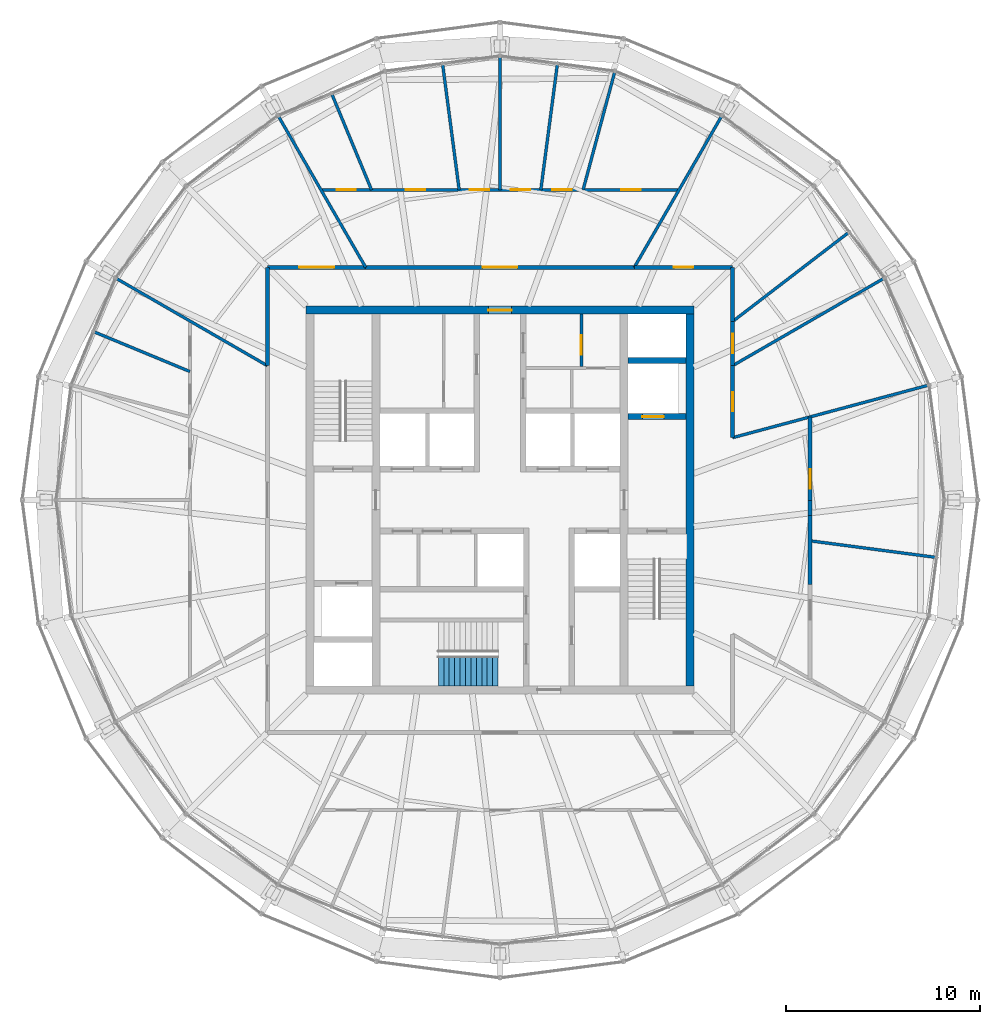
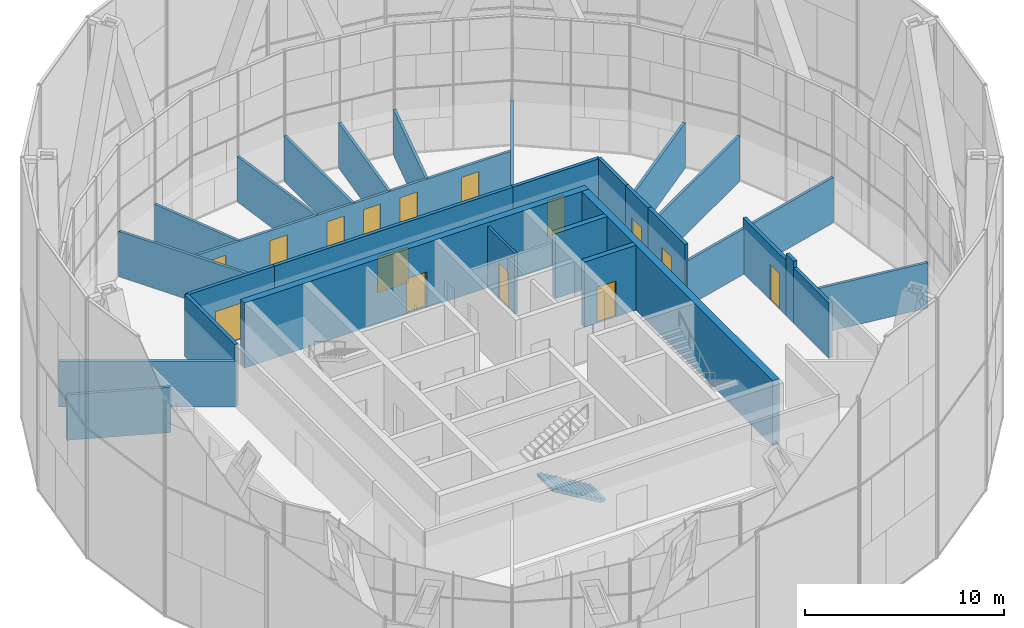
# One storey, part 21 of 23: 29 walls, 15 doors, 1 stair flight, 15 openings, 1 element without a shape of its own.
"""IFC4 building model written with IfcOpenShell, lengths in metres."""

from ifc_helpers import new_model, si_unit, direction, frame, frame_2d, origin, place, context, subcontext, project, spatial, polyline, rectangle, outline, extrude, material, layer, layer_set, type_object, element, fill, aggregate, save


model = new_model("IFC4")

# Units and contexts
model_context = context("Model", 3, precision=1e-05, world=origin(), true_north=direction((0.0, 1.0)))
body_context = subcontext(model_context, "Body", "Model", "MODEL_VIEW")
ifc_project = project(units=[si_unit("LENGTHUNIT", "METRE"), si_unit("AREAUNIT", "SQUARE_METRE"), si_unit("VOLUMEUNIT", "CUBIC_METRE"), si_unit("PLANEANGLEUNIT", "RADIAN"), si_unit("MASSUNIT", "GRAM", prefix="KILO")], contexts=[model_context])

# Site, building, storey
site_placement = place(None, origin())
site = spatial("IfcSite", under=ifc_project, at=site_placement, CompositionType="ELEMENT")
building_placement = place(site_placement, origin())
building = spatial("IfcBuilding", under=site, at=building_placement, Name="Golbaran Civic Tower", CompositionType="ELEMENT")
storey_placement = place(building_placement, frame((0.0, 0.0, 232.0)))
storey = spatial("IfcBuildingStorey", under=building, at=storey_placement, Name="L56", CompositionType="ELEMENT", Elevation=232.0)

# Wall, opening, door
ifc_material_1 = material(Name="Concrete C50/60", Category="concrete")
ifc_layer_1 = layer(ifc_material_1, 0.39990234375, Name="Concrete C50/60")
ifc_layer_set_1 = layer_set([ifc_layer_1], Name="Concrete C50/60")
wall_type_1 = type_object("IfcWallType", Name="CORE WALL CONCRETE 400", PredefinedType="SOLIDWALL", material=ifc_layer_set_1)
wall_1_placement = place(storey_placement, frame((-10.0, 9.800048828125, 0.0), z_axis=(0.0, 0.0, 1.0), x_axis=(1.0, 0.0, 0.0)))
wall_1 = element("IfcWall", 1, at=wall_1_placement, inside=storey, type_object=wall_type_1, Name="Core wall CN L56", PredefinedType="SOLIDWALL", context=body_context, shape_type="SweptSolid", body=[
    extrude(rectangle(XDim=20.0, YDim=0.39990234375, at=frame_2d((10.0, 0.0))), origin(), (0.0, 0.0, 1.0), 4.0),
])
opening_1_placement = place(wall_1_placement, frame((9.39990234375, 0.0, 0.0)))
opening_1 = element("IfcOpeningElement", 2, at=opening_1_placement, cuts=wall_1, Name="Opening L56.CN", PredefinedType="OPENING", context=body_context, shape_type="SweptSolid", body=[
    extrude(rectangle(XDim=1.199951171875, YDim=2.199951171875, at=frame_2d((0.60009765625, 1.10009765625))), frame((0.0, 0.2099609375, 0.0), z_axis=(0.0, -1.0, 0.0), x_axis=(1.0, 0.0, 0.0)), (0.0, 0.0, 1.0), 0.419921875),
])
ifc_material_2 = material(Name="Timber door set in steel frame", Category="steel")
door_type_1 = type_object("IfcDoorType", Name="CORE DOOR 1200x2200", OperationType="DOUBLE_DOOR_SINGLE_SWING", PredefinedType="DOOR", material=ifc_material_2)
door_1_placement = place(opening_1_placement, origin())
door_1 = element("IfcDoor", 3, at=door_1_placement, inside=storey, type_object=door_type_1, Name="Core door north", OperationType="DOUBLE_DOOR_SINGLE_SWING", OverallHeight=2.199951171875, OverallWidth=1.199951171875, PredefinedType="DOOR", context=body_context, shape_type="SweptSolid", body=[
    extrude(rectangle(XDim=1.199951171875, YDim=2.199951171875, at=frame_2d((0.60009765625, 1.10009765625))), frame((0.0, 0.02490234375, 0.0), z_axis=(0.0, -1.0, 0.0), x_axis=(1.0, 0.0, 0.0)), (0.0, 0.0, 1.0), 0.050048828125),
])
fill(opening_1, door_1)

# Wall
wall_2_placement = place(storey_placement, frame((9.800048828125, -9.60009765625, 0.0), z_axis=(0.0, 0.0, 1.0), x_axis=(0.0, 1.0, 0.0)))
element("IfcWall", 4, at=wall_2_placement, inside=storey, type_object=wall_type_1, Name="Core wall CE L56", PredefinedType="SOLIDWALL", context=body_context, shape_type="SweptSolid", body=[
    extrude(rectangle(XDim=19.2001953125, YDim=0.39990234375, at=frame_2d((9.60009765625, 0.0))), origin(), (0.0, 0.0, 1.0), 4.0),
])

# Wall, opening, door
ifc_material_3 = material(Name="Gypsum board on steel studs, fire-rated", Category="steel")
ifc_layer_2 = layer(ifc_material_3, 0.199951171875, Name="Gypsum board on steel studs, fire-rated")
ifc_layer_set_2 = layer_set([ifc_layer_2], Name="Gypsum board on steel studs, fire-rated")
wall_type_2 = type_object("IfcWallType", Name="CORRIDOR WALL 200", PredefinedType="PARTITIONING", material=ifc_layer_set_2)
wall_3_placement = place(storey_placement, frame((12.0, 3.21533203125, 0.0), z_axis=(0.0, 0.0, 1.0), x_axis=(0.0, 1.0, 0.0)))
wall_3 = element("IfcWall", 5, at=wall_3_placement, inside=storey, type_object=wall_type_2, Name="Corridor wall L56", PredefinedType="PARTITIONING", context=body_context, shape_type="SweptSolid", body=[
    extrude(rectangle(XDim=3.712890625, YDim=0.199951171875, at=frame_2d((1.8564453125, 0.0))), origin(), (0.0, 0.0, 1.0), 3.800048828125),
])
opening_2_placement = place(wall_3_placement, frame((1.3564453125, 0.0, 0.0)))
opening_2 = element("IfcOpeningElement", 6, at=opening_2_placement, cuts=wall_3, Name="Opening L56.19", PredefinedType="OPENING", context=body_context, shape_type="SweptSolid", body=[
    extrude(rectangle(XDim=1.0, YDim=2.199951171875, at=frame_2d((0.5, 1.10009765625))), frame((0.0, 0.10986328125, 0.0), z_axis=(0.0, -1.0, 0.0), x_axis=(1.0, 0.0, 0.0)), (0.0, 0.0, 1.0), 0.219970703125),
])
door_type_2 = type_object("IfcDoorType", Name="OFFICE DOOR 1000x2200", OperationType="SINGLE_SWING_LEFT", PredefinedType="DOOR", material=ifc_material_2)
door_2_placement = place(opening_2_placement, origin())
door_2 = element("IfcDoor", 7, at=door_2_placement, inside=storey, type_object=door_type_2, Name="Meeting Room door L56", OperationType="SINGLE_SWING_LEFT", OverallHeight=2.199951171875, OverallWidth=1.0, PredefinedType="DOOR", context=body_context, shape_type="SweptSolid", body=[
    extrude(rectangle(XDim=1.0, YDim=2.199951171875, at=frame_2d((0.5, 1.10009765625))), frame((0.0, 0.02490234375, 0.0), z_axis=(0.0, -1.0, 0.0), x_axis=(1.0, 0.0, 0.0)), (0.0, 0.0, 1.0), 0.050048828125),
])
fill(opening_2, door_2)

wall_4_placement = place(storey_placement, frame((12.0, 6.92822265625, 0.0), z_axis=(0.0, 0.0, 1.0), x_axis=(0.0, 1.0, 0.0)))
wall_4 = element("IfcWall", 8, at=wall_4_placement, inside=storey, type_object=wall_type_2, Name="Corridor wall L56", PredefinedType="PARTITIONING", context=body_context, shape_type="SweptSolid", body=[
    extrude(rectangle(XDim=2.27978515625, YDim=0.199951171875, at=frame_2d((1.139892578125, 0.0))), origin(), (0.0, 0.0, 1.0), 3.800048828125),
])
opening_3_placement = place(wall_4_placement, frame((0.639892578125, 0.0, 0.0)))
opening_3 = element("IfcOpeningElement", 9, at=opening_3_placement, cuts=wall_4, Name="Opening L56.20", PredefinedType="OPENING", context=body_context, shape_type="SweptSolid", body=[
    extrude(rectangle(XDim=1.0, YDim=2.199951171875, at=frame_2d((0.5, 1.10009765625))), frame((0.0, 0.10986328125, 0.0), z_axis=(0.0, -1.0, 0.0), x_axis=(1.0, 0.0, 0.0)), (0.0, 0.0, 1.0), 0.219970703125),
])
door_3_placement = place(opening_3_placement, origin())
door_3 = element("IfcDoor", 10, at=door_3_placement, inside=storey, type_object=door_type_2, Name="Prayer Room door L56", OperationType="SINGLE_SWING_LEFT", OverallHeight=2.199951171875, OverallWidth=1.0, PredefinedType="DOOR", context=body_context, shape_type="SweptSolid", body=[
    extrude(rectangle(XDim=1.0, YDim=2.199951171875, at=frame_2d((0.5, 1.10009765625))), frame((0.0, 0.02490234375, 0.0), z_axis=(0.0, -1.0, 0.0), x_axis=(1.0, 0.0, 0.0)), (0.0, 0.0, 1.0), 0.050048828125),
])
fill(opening_3, door_3)

# Wall
wall_5_placement = place(storey_placement, frame((12.0, 9.2080078125, 0.0), z_axis=(0.0, 0.0, 1.0), x_axis=(0.0, 1.0, 0.0)))
element("IfcWall", 11, at=wall_5_placement, inside=storey, type_object=wall_type_2, Name="Corridor wall L56", PredefinedType="PARTITIONING", context=body_context, shape_type="SweptSolid", body=[
    extrude(rectangle(XDim=2.7919921875, YDim=0.199951171875, at=frame_2d((1.39599609375, 0.0))), origin(), (0.0, 0.0, 1.0), 3.800048828125),
])

# Wall, opening, door
wall_6_placement = place(storey_placement, frame((12.0, 12.0, 0.0), z_axis=(0.0, 0.0, 1.0), x_axis=(-1.0, 0.0, 0.0)))
wall_6 = element("IfcWall", 12, at=wall_6_placement, inside=storey, type_object=wall_type_2, Name="Corridor wall L56", PredefinedType="PARTITIONING", context=body_context, shape_type="SweptSolid", body=[
    extrude(rectangle(XDim=5.07177734375, YDim=0.199951171875, at=frame_2d((2.535888671875, 0.0))), origin(), (0.0, 0.0, 1.0), 3.800048828125),
])
opening_4_placement = place(wall_6_placement, frame((2.035888671875, 0.0, 0.0)))
opening_4 = element("IfcOpeningElement", 13, at=opening_4_placement, cuts=wall_6, Name="Opening L56.21", PredefinedType="OPENING", context=body_context, shape_type="SweptSolid", body=[
    extrude(rectangle(XDim=1.0, YDim=2.199951171875, at=frame_2d((0.5, 1.10009765625))), frame((0.0, 0.10986328125, 0.0), z_axis=(0.0, -1.0, 0.0), x_axis=(1.0, 0.0, 0.0)), (0.0, 0.0, 1.0), 0.219970703125),
])
door_4_placement = place(opening_4_placement, origin())
door_4 = element("IfcDoor", 14, at=door_4_placement, inside=storey, type_object=door_type_2, Name="Pantry door L56", OperationType="SINGLE_SWING_RIGHT", OverallHeight=2.199951171875, OverallWidth=1.0, PredefinedType="DOOR", context=body_context, shape_type="SweptSolid", body=[
    extrude(rectangle(XDim=1.0, YDim=2.199951171875, at=frame_2d((0.5, 1.10009765625))), frame((0.0, 0.02490234375, 0.0), z_axis=(0.0, -1.0, 0.0), x_axis=(1.0, 0.0, 0.0)), (0.0, 0.0, 1.0), 0.050048828125),
])
fill(opening_4, door_4)

wall_7_placement = place(storey_placement, frame((6.92822265625, 12.0, 0.0), z_axis=(0.0, 0.0, 1.0), x_axis=(-1.0, 0.0, 0.0)))
wall_7 = element("IfcWall", 15, at=wall_7_placement, inside=storey, type_object=wall_type_2, Name="Corridor wall L56", PredefinedType="PARTITIONING", context=body_context, shape_type="SweptSolid", body=[
    extrude(rectangle(XDim=13.8564453125, YDim=0.199951171875, at=frame_2d((6.92822265625, 0.0))), origin(), (0.0, 0.0, 1.0), 3.800048828125),
])
opening_5_placement = place(wall_7_placement, frame((6.0283203125, 0.0, 0.0)))
opening_5 = element("IfcOpeningElement", 16, at=opening_5_placement, cuts=wall_7, Name="Opening L56.22", PredefinedType="OPENING", context=body_context, shape_type="SweptSolid", body=[
    extrude(rectangle(XDim=1.800048828125, YDim=2.199951171875, at=frame_2d((0.89990234375, 1.10009765625))), frame((0.0, 0.10986328125, 0.0), z_axis=(0.0, -1.0, 0.0), x_axis=(1.0, 0.0, 0.0)), (0.0, 0.0, 1.0), 0.219970703125),
])
door_type_3 = type_object("IfcDoorType", Name="OFFICE DOUBLE DOOR 1800x2200", OperationType="DOUBLE_DOOR_SINGLE_SWING", PredefinedType="DOOR", material=ifc_material_2)
door_5_placement = place(opening_5_placement, origin())
door_5 = element("IfcDoor", 17, at=door_5_placement, inside=storey, type_object=door_type_3, Name="Reception door L56", OperationType="DOUBLE_DOOR_SINGLE_SWING", OverallHeight=2.199951171875, OverallWidth=1.800048828125, PredefinedType="DOOR", context=body_context, shape_type="SweptSolid", body=[
    extrude(rectangle(XDim=1.800048828125, YDim=2.199951171875, at=frame_2d((0.89990234375, 1.10009765625))), frame((0.0, 0.02490234375, 0.0), z_axis=(0.0, -1.0, 0.0), x_axis=(1.0, 0.0, 0.0)), (0.0, 0.0, 1.0), 0.050048828125),
])
fill(opening_5, door_5)

wall_8_placement = place(storey_placement, frame((-6.92822265625, 12.0, 0.0), z_axis=(0.0, 0.0, 1.0), x_axis=(-1.0, 0.0, 0.0)))
wall_8 = element("IfcWall", 18, at=wall_8_placement, inside=storey, type_object=wall_type_2, Name="Corridor wall L56", PredefinedType="PARTITIONING", context=body_context, shape_type="SweptSolid", body=[
    extrude(rectangle(XDim=5.07177734375, YDim=0.199951171875, at=frame_2d((2.535888671875, 0.0))), origin(), (0.0, 0.0, 1.0), 3.800048828125),
])
opening_6_placement = place(wall_8_placement, frame((1.635986328125, 0.0, 0.0)))
opening_6 = element("IfcOpeningElement", 19, at=opening_6_placement, cuts=wall_8, Name="Opening L56.23", PredefinedType="OPENING", context=body_context, shape_type="SweptSolid", body=[
    extrude(rectangle(XDim=1.800048828125, YDim=2.199951171875, at=frame_2d((0.89990234375, 1.10009765625))), frame((0.0, 0.10986328125, 0.0), z_axis=(0.0, -1.0, 0.0), x_axis=(1.0, 0.0, 0.0)), (0.0, 0.0, 1.0), 0.219970703125),
])
door_6_placement = place(opening_6_placement, origin())
door_6 = element("IfcDoor", 20, at=door_6_placement, inside=storey, type_object=door_type_3, Name="Open Office door L56", OperationType="DOUBLE_DOOR_SINGLE_SWING", OverallHeight=2.199951171875, OverallWidth=1.800048828125, PredefinedType="DOOR", context=body_context, shape_type="SweptSolid", body=[
    extrude(rectangle(XDim=1.800048828125, YDim=2.199951171875, at=frame_2d((0.89990234375, 1.10009765625))), frame((0.0, 0.02490234375, 0.0), z_axis=(0.0, -1.0, 0.0), x_axis=(1.0, 0.0, 0.0)), (0.0, 0.0, 1.0), 0.050048828125),
])
fill(opening_6, door_6)

# Walls
wall_9_placement = place(storey_placement, frame((-12.0, 12.0, 0.0), z_axis=(0.0, 0.0, 1.0), x_axis=(0.0, -1.0, 0.0)))
element("IfcWall", 21, at=wall_9_placement, inside=storey, type_object=wall_type_2, Name="Corridor wall L56", PredefinedType="PARTITIONING", context=body_context, shape_type="SweptSolid", body=[
    extrude(rectangle(XDim=5.07177734375, YDim=0.199951171875, at=frame_2d((2.535888671875, 0.0))), origin(), (0.0, 0.0, 1.0), 3.800048828125),
])
ifc_material_4 = material(Name="Gypsum board on steel studs, fire-rated, glazed panels", Category="steel")
ifc_layer_3 = layer(ifc_material_4, 0.199951171875, Name="Gypsum board on steel studs, fire-rated, glazed panels")
ifc_layer_set_3 = layer_set([ifc_layer_3], Name="Gypsum board on steel studs, fire-rated, glazed panels")
wall_type_3 = type_object("IfcWallType", Name="GALLERY WALL 200", PredefinedType="PARTITIONING", material=ifc_layer_set_3)
wall_10_placement = place(storey_placement, frame((16.0, -4.35302734375, 0.0), z_axis=(0.0, 0.0, 1.0), x_axis=(0.0, 1.0, 0.0)))
element("IfcWall", 22, at=wall_10_placement, inside=storey, type_object=wall_type_3, Name="Gallery wall L56 (part 2)", PredefinedType="PARTITIONING", context=body_context, shape_type="SweptSolid", body=[
    extrude(rectangle(XDim=3.55419921875, YDim=0.199951171875, at=frame_2d((1.777099609375, 0.0))), origin(), (0.0, 0.0, 1.0), 3.39990234375),
])
wall_11_placement = place(storey_placement, frame((16.0, -0.798828125, 0.0), z_axis=(0.0, 0.0, 1.0), x_axis=(0.0, 1.0, 0.0)))
element("IfcWall", 23, at=wall_11_placement, inside=storey, type_object=wall_type_3, Name="Gallery wall L56 (part 3)", PredefinedType="PARTITIONING", context=body_context, shape_type="SweptSolid", body=[
    extrude(rectangle(XDim=0.765869140625, YDim=0.199951171875, at=frame_2d((0.3828125, 0.0))), origin(), (0.0, 0.0, 1.0), 3.800048828125),
])

# Wall, opening, door
wall_12_placement = place(storey_placement, frame((16.0, -0.032958984375, 0.0), z_axis=(0.0, 0.0, 1.0), x_axis=(0.0, 1.0, 0.0)))
wall_12 = element("IfcWall", 24, at=wall_12_placement, inside=storey, type_object=wall_type_3, Name="Gallery wall L56 (part 4)", PredefinedType="PARTITIONING", context=body_context, shape_type="SweptSolid", body=[
    extrude(rectangle(XDim=4.320068359375, YDim=0.199951171875, at=frame_2d((2.16015625, 0.0))), origin(), (0.0, 0.0, 1.0), 3.39990234375),
])
opening_7_placement = place(wall_12_placement, frame((0.623291015625, 0.0, 0.0)))
opening_7 = element("IfcOpeningElement", 25, at=opening_7_placement, cuts=wall_12, Name="Opening L56.02", PredefinedType="OPENING", context=body_context, shape_type="SweptSolid", body=[
    extrude(rectangle(XDim=1.0, YDim=2.199951171875, at=frame_2d((0.5, 1.10009765625))), frame((0.0, 0.10986328125, 0.0), z_axis=(0.0, -1.0, 0.0), x_axis=(1.0, 0.0, 0.0)), (0.0, 0.0, 1.0), 0.219970703125),
])
door_7_placement = place(opening_7_placement, origin())
door_7 = element("IfcDoor", 26, at=door_7_placement, inside=storey, type_object=door_type_2, Name="Office door L56", OperationType="SINGLE_SWING_RIGHT", OverallHeight=2.199951171875, OverallWidth=1.0, PredefinedType="DOOR", context=body_context, shape_type="SweptSolid", body=[
    extrude(rectangle(XDim=1.0, YDim=2.199951171875, at=frame_2d((0.5, 1.10009765625))), frame((0.0, 0.02490234375, 0.0), z_axis=(0.0, -1.0, 0.0), x_axis=(1.0, 0.0, 0.0)), (0.0, 0.0, 1.0), 0.050048828125),
])
fill(opening_7, door_7)

# Walls
ifc_material_5 = material(Name="Gypsum board on steel studs", Category="steel")
ifc_layer_4 = layer(ifc_material_5, 0.14990234375, Name="Gypsum board on steel studs")
ifc_layer_set_4 = layer_set([ifc_layer_4], Name="Gypsum board on steel studs")
wall_type_4 = type_object("IfcWallType", Name="OFFICE PARTITION 150", PredefinedType="PARTITIONING", material=ifc_layer_set_4)
wall_13_placement = place(storey_placement, frame((12.0, 3.21533203125, 0.0), z_axis=(0.0, 0.0, 1.0), x_axis=(0.965927197493, 0.258813927647, 0.0)))
element("IfcWall", 27, at=wall_13_placement, inside=storey, type_object=wall_type_4, Name="Partition 15 L56", PredefinedType="PARTITIONING", context=body_context, shape_type="SweptSolid", body=[
    extrude(rectangle(XDim=10.39892578125, YDim=0.14990234375, at=frame_2d((5.199462890625, 0.0))), origin(), (0.0, 0.0, 1.0), 2.7900390625),
])
wall_14_placement = place(storey_placement, frame((12.0, 6.92822265625, 0.0), z_axis=(0.0, 0.0, 1.0), x_axis=(0.866025969295, 0.499999020506, 0.0)))
element("IfcWall", 28, at=wall_14_placement, inside=storey, type_object=wall_type_4, Name="Partition 30 L56", PredefinedType="PARTITIONING", context=body_context, shape_type="SweptSolid", body=[
    extrude(rectangle(XDim=8.9658203125, YDim=0.14990234375, at=frame_2d((4.48291015625, 0.0))), origin(), (0.0, 0.0, 1.0), 2.7900390625),
])
wall_15_placement = place(storey_placement, frame((12.0, 9.2080078125, 0.0), z_axis=(0.0, 0.0, 1.0), x_axis=(0.793359040843, 0.608753999833, 0.0)))
element("IfcWall", 29, at=wall_15_placement, inside=storey, type_object=wall_type_4, Name="Partition 37.5 L56", PredefinedType="PARTITIONING", context=body_context, shape_type="SweptSolid", body=[
    extrude(rectangle(XDim=7.501220703125, YDim=0.14990234375, at=frame_2d((3.75048828125, 0.0))), origin(), (0.0, 0.0, 1.0), 2.7900390625),
])
for number, where, z_axis, x_axis, name in (
    (30, (6.92822265625, 12.0, 0.0), (0.0, 0.0, 1.0), (0.499999020506, 0.866025969295, 0.0), "Partition 60 L56"),
    (31, (-6.92822265625, 12.0, 0.0), (0.0, 0.0, 1.0), (-0.499999020506, 0.866025969295, 0.0), "Partition 120 L56"),
    (32, (-12.0, 6.92822265625, 0.0), (0.0, 0.0, 1.0), (-0.866025969295, 0.499999020506, 0.0), "Partition 150 L56"),
):
    element("IfcWall", number, at=place(storey_placement, frame(where, z_axis=z_axis, x_axis=x_axis)), inside=storey, type_object=wall_type_4, Name=name, PredefinedType="PARTITIONING", context=body_context, shape_type="SweptSolid", body=[
        extrude(rectangle(XDim=8.9658203125, YDim=0.14990234375, at=frame_2d((4.48291015625, 0.0))), origin(), (0.0, 0.0, 1.0), 2.7900390625),
    ])
wall_16_placement = place(storey_placement, frame((16.0, -2.1064453125, 0.0), z_axis=(0.0, 0.0, 1.0), x_axis=(0.991445713249, -0.130519721425, 0.0)))
element("IfcWall", 33, at=wall_16_placement, inside=storey, type_object=wall_type_4, Name="Partition 352.5 L56", PredefinedType="PARTITIONING", context=body_context, shape_type="SweptSolid", body=[
    extrude(rectangle(XDim=6.48876953125, YDim=0.14990234375, at=frame_2d((3.244384765625, 0.0))), origin(), (0.0, 0.0, 1.0), 2.7900390625),
])

# Wall, openings, doors
wall_17_placement = place(storey_placement, frame((9.237548828125, 16.0, 0.0), z_axis=(0.0, 0.0, 1.0), x_axis=(-1.0, 0.0, 0.0)))
wall_17 = element("IfcWall", 34, at=wall_17_placement, inside=storey, type_object=wall_type_4, Name="Suite partition L56", PredefinedType="PARTITIONING", context=body_context, shape_type="SweptSolid", body=[
    extrude(rectangle(XDim=18.47509765625, YDim=0.14990234375, at=frame_2d((9.237548828125, 0.0))), origin(), (0.0, 0.0, 1.0), 2.7900390625),
])
opening_8_placement = place(wall_17_placement, frame((1.97509765625, 0.0, 0.0)))
opening_8 = element("IfcOpeningElement", 35, at=opening_8_placement, cuts=wall_17, Name="Opening L56.03", PredefinedType="OPENING", context=body_context, shape_type="SweptSolid", body=[
    extrude(rectangle(XDim=1.0, YDim=2.199951171875, at=frame_2d((0.5, 1.10009765625))), frame((0.0, 0.0849609375, 0.0), z_axis=(0.0, -1.0, 0.0), x_axis=(1.0, 0.0, 0.0)), (0.0, 0.0, 1.0), 0.169921875),
])
opening_9_placement = place(wall_17_placement, frame((5.540771484375, 0.0, 0.0)))
opening_9 = element("IfcOpeningElement", 36, at=opening_9_placement, cuts=wall_17, Name="Opening L56.04", PredefinedType="OPENING", context=body_context, shape_type="SweptSolid", body=[
    extrude(rectangle(XDim=1.0, YDim=2.199951171875, at=frame_2d((0.5, 1.10009765625))), frame((0.0, 0.0849609375, 0.0), z_axis=(0.0, -1.0, 0.0), x_axis=(1.0, 0.0, 0.0)), (0.0, 0.0, 1.0), 0.169921875),
])
opening_10_placement = place(wall_17_placement, frame((7.684326171875, 0.0, 0.0)))
opening_10 = element("IfcOpeningElement", 37, at=opening_10_placement, cuts=wall_17, Name="Opening L56.05", PredefinedType="OPENING", context=body_context, shape_type="SweptSolid", body=[
    extrude(rectangle(XDim=1.0, YDim=2.199951171875, at=frame_2d((0.5, 1.10009765625))), frame((0.0, 0.0849609375, 0.0), z_axis=(0.0, -1.0, 0.0), x_axis=(1.0, 0.0, 0.0)), (0.0, 0.0, 1.0), 0.169921875),
])
opening_11_placement = place(wall_17_placement, frame((9.790771484375, 0.0, 0.0)))
opening_11 = element("IfcOpeningElement", 38, at=opening_11_placement, cuts=wall_17, Name="Opening L56.06", PredefinedType="OPENING", context=body_context, shape_type="SweptSolid", body=[
    extrude(rectangle(XDim=1.0, YDim=2.199951171875, at=frame_2d((0.5, 1.10009765625))), frame((0.0, 0.0849609375, 0.0), z_axis=(0.0, -1.0, 0.0), x_axis=(1.0, 0.0, 0.0)), (0.0, 0.0, 1.0), 0.169921875),
])
opening_12_placement = place(wall_17_placement, frame((13.1044921875, 0.0, 0.0)))
opening_12 = element("IfcOpeningElement", 39, at=opening_12_placement, cuts=wall_17, Name="Opening L56.07", PredefinedType="OPENING", context=body_context, shape_type="SweptSolid", body=[
    extrude(rectangle(XDim=1.0, YDim=2.199951171875, at=frame_2d((0.5, 1.10009765625))), frame((0.0, 0.0849609375, 0.0), z_axis=(0.0, -1.0, 0.0), x_axis=(1.0, 0.0, 0.0)), (0.0, 0.0, 1.0), 0.169921875),
])
opening_13_placement = place(wall_17_placement, frame((16.670166015625, 0.0, 0.0)))
opening_13 = element("IfcOpeningElement", 40, at=opening_13_placement, cuts=wall_17, Name="Opening L56.08", PredefinedType="OPENING", context=body_context, shape_type="SweptSolid", body=[
    extrude(rectangle(XDim=1.0, YDim=2.199951171875, at=frame_2d((0.5, 1.10009765625))), frame((0.0, 0.0849609375, 0.0), z_axis=(0.0, -1.0, 0.0), x_axis=(1.0, 0.0, 0.0)), (0.0, 0.0, 1.0), 0.169921875),
])
door_8_placement = place(opening_8_placement, origin())
door_8 = element("IfcDoor", 41, at=door_8_placement, inside=storey, type_object=door_type_2, Name="Deputy Minister's Office door L56", OperationType="SINGLE_SWING_LEFT", OverallHeight=2.199951171875, OverallWidth=1.0, PredefinedType="DOOR", context=body_context, shape_type="SweptSolid", body=[
    extrude(rectangle(XDim=1.0, YDim=2.199951171875, at=frame_2d((0.5, 1.10009765625))), frame((0.0, 0.02490234375, 0.0), z_axis=(0.0, -1.0, 0.0), x_axis=(1.0, 0.0, 0.0)), (0.0, 0.0, 1.0), 0.050048828125),
])
fill(opening_8, door_8)
door_9_placement = place(opening_9_placement, origin())
door_9 = element("IfcDoor", 42, at=door_9_placement, inside=storey, type_object=door_type_2, Name="Private Meeting Room door L56", OperationType="SINGLE_SWING_LEFT", OverallHeight=2.199951171875, OverallWidth=1.0, PredefinedType="DOOR", context=body_context, shape_type="SweptSolid", body=[
    extrude(rectangle(XDim=1.0, YDim=2.199951171875, at=frame_2d((0.5, 1.10009765625))), frame((0.0, 0.02490234375, 0.0), z_axis=(0.0, -1.0, 0.0), x_axis=(1.0, 0.0, 0.0)), (0.0, 0.0, 1.0), 0.050048828125),
])
fill(opening_9, door_9)
door_10_placement = place(opening_10_placement, origin())
door_10 = element("IfcDoor", 43, at=door_10_placement, inside=storey, type_object=door_type_2, Name="Private Meeting Room door L56", OperationType="SINGLE_SWING_LEFT", OverallHeight=2.199951171875, OverallWidth=1.0, PredefinedType="DOOR", context=body_context, shape_type="SweptSolid", body=[
    extrude(rectangle(XDim=1.0, YDim=2.199951171875, at=frame_2d((0.5, 1.10009765625))), frame((0.0, 0.02490234375, 0.0), z_axis=(0.0, -1.0, 0.0), x_axis=(1.0, 0.0, 0.0)), (0.0, 0.0, 1.0), 0.050048828125),
])
fill(opening_10, door_10)
door_11_placement = place(opening_11_placement, origin())
door_11 = element("IfcDoor", 44, at=door_11_placement, inside=storey, type_object=door_type_2, Name="Assistants' Office door L56", OperationType="SINGLE_SWING_RIGHT", OverallHeight=2.199951171875, OverallWidth=1.0, PredefinedType="DOOR", context=body_context, shape_type="SweptSolid", body=[
    extrude(rectangle(XDim=1.0, YDim=2.199951171875, at=frame_2d((0.5, 1.10009765625))), frame((0.0, 0.02490234375, 0.0), z_axis=(0.0, -1.0, 0.0), x_axis=(1.0, 0.0, 0.0)), (0.0, 0.0, 1.0), 0.050048828125),
])
fill(opening_11, door_11)
door_12_placement = place(opening_12_placement, origin())
door_12 = element("IfcDoor", 45, at=door_12_placement, inside=storey, type_object=door_type_2, Name="Private Meeting Room door L56", OperationType="SINGLE_SWING_RIGHT", OverallHeight=2.199951171875, OverallWidth=1.0, PredefinedType="DOOR", context=body_context, shape_type="SweptSolid", body=[
    extrude(rectangle(XDim=1.0, YDim=2.199951171875, at=frame_2d((0.5, 1.10009765625))), frame((0.0, 0.02490234375, 0.0), z_axis=(0.0, -1.0, 0.0), x_axis=(1.0, 0.0, 0.0)), (0.0, 0.0, 1.0), 0.050048828125),
])
fill(opening_12, door_12)
door_13_placement = place(opening_13_placement, origin())
door_13 = element("IfcDoor", 46, at=door_13_placement, inside=storey, type_object=door_type_2, Name="Assistants' Office door L56", OperationType="SINGLE_SWING_RIGHT", OverallHeight=2.199951171875, OverallWidth=1.0, PredefinedType="DOOR", context=body_context, shape_type="SweptSolid", body=[
    extrude(rectangle(XDim=1.0, YDim=2.199951171875, at=frame_2d((0.5, 1.10009765625))), frame((0.0, 0.02490234375, 0.0), z_axis=(0.0, -1.0, 0.0), x_axis=(1.0, 0.0, 0.0)), (0.0, 0.0, 1.0), 0.050048828125),
])
fill(opening_13, door_13)

# Walls
wall_18_placement = place(storey_placement, frame((4.287109375, 16.0, 0.0), z_axis=(0.0, 0.0, 1.0), x_axis=(0.258813437513, 0.965927328821, 0.0)))
element("IfcWall", 47, at=wall_18_placement, inside=storey, type_object=wall_type_4, Name="Partition 75 L56", PredefinedType="PARTITIONING", context=body_context, shape_type="SweptSolid", body=[
    extrude(rectangle(XDim=6.2578125, YDim=0.14990234375, at=frame_2d((3.12890625, 0.0))), origin(), (0.0, 0.0, 1.0), 2.7900390625),
])
wall_19_placement = place(storey_placement, frame((2.1064453125, 16.0, 0.0), z_axis=(0.0, 0.0, 1.0), x_axis=(0.130519721425, 0.991445713249, 0.0)))
element("IfcWall", 48, at=wall_19_placement, inside=storey, type_object=wall_type_4, Name="Partition 82.5 L56", PredefinedType="PARTITIONING", context=body_context, shape_type="SweptSolid", body=[
    extrude(rectangle(XDim=6.48876953125, YDim=0.14990234375, at=frame_2d((3.244384765625, 0.0))), origin(), (0.0, 0.0, 1.0), 2.7900390625),
])
wall_20_placement = place(storey_placement, frame((0.0, 16.0, 0.0), z_axis=(0.0, 0.0, 1.0), x_axis=(0.0, 1.0, 0.0)))
element("IfcWall", 49, at=wall_20_placement, inside=storey, type_object=wall_type_4, Name="Partition 90 L56", PredefinedType="PARTITIONING", context=body_context, shape_type="SweptSolid", body=[
    extrude(rectangle(XDim=6.822265625, YDim=0.14990234375, at=frame_2d((3.4111328125, 0.0))), origin(), (0.0, 0.0, 1.0), 2.7900390625),
])
wall_21_placement = place(storey_placement, frame((-2.1064453125, 16.0, 0.0), z_axis=(0.0, 0.0, 1.0), x_axis=(-0.130519721425, 0.991445713249, 0.0)))
element("IfcWall", 50, at=wall_21_placement, inside=storey, type_object=wall_type_4, Name="Partition 97.5 L56", PredefinedType="PARTITIONING", context=body_context, shape_type="SweptSolid", body=[
    extrude(rectangle(XDim=6.48876953125, YDim=0.14990234375, at=frame_2d((3.244384765625, 0.0))), origin(), (0.0, 0.0, 1.0), 2.7900390625),
])
for number, where, z_axis, x_axis, name in (
    (51, (-6.62744140625, 16.0, 0.0), (0.0, 0.0, 1.0), (-0.382678083764, 0.923881747956, 0.0), "Partition 112.5 L56"),
    (52, (-16.0, 6.62744140625, 0.0), (0.0, 0.0, 1.0), (-0.923881747956, 0.382678083764, 0.0), "Partition 157.5 L56"),
):
    element("IfcWall", number, at=place(storey_placement, frame(where, z_axis=z_axis, x_axis=x_axis)), inside=storey, type_object=wall_type_4, Name=name, PredefinedType="PARTITIONING", context=body_context, shape_type="SweptSolid", body=[
        extrude(rectangle(XDim=5.30859375, YDim=0.14990234375, at=frame_2d((2.654296875, 0.0))), origin(), (0.0, 0.0, 1.0), 2.7900390625),
    ])

# Wall, opening, door
ifc_layer_5 = layer(ifc_material_1, 0.300048828125, Name="Concrete C50/60")
ifc_layer_set_5 = layer_set([ifc_layer_5], Name="Concrete C50/60")
wall_type_5 = type_object("IfcWallType", Name="SHAFT WALL CONCRETE 300", PredefinedType="SOLIDWALL", material=ifc_layer_set_5)
wall_22_placement = place(storey_placement, frame((6.60009765625, 4.300048828125, 0.0), z_axis=(0.0, 0.0, 1.0), x_axis=(1.0, 0.0, 0.0)))
wall_22 = element("IfcWall", 53, at=wall_22_placement, inside=storey, type_object=wall_type_5, Name="Core wall XE2 L56", PredefinedType="SOLIDWALL", context=body_context, shape_type="SweptSolid", body=[
    extrude(rectangle(XDim=3.0, YDim=0.300048828125, at=frame_2d((1.5, 0.0))), origin(), (0.0, 0.0, 1.0), 4.0),
])
opening_14_placement = place(wall_22_placement, frame((0.75, 0.0, 0.0)))
opening_14 = element("IfcOpeningElement", 54, at=opening_14_placement, cuts=wall_22, Name="Opening L56.LD-F2", PredefinedType="OPENING", context=body_context, shape_type="SweptSolid", body=[
    extrude(rectangle(XDim=1.10009765625, YDim=2.199951171875, at=frame_2d((0.550048828125, 1.10009765625))), frame((0.0, 0.159912109375, 0.0), z_axis=(0.0, -1.0, 0.0), x_axis=(1.0, 0.0, 0.0)), (0.0, 0.0, 1.0), 0.320068359375),
])
ifc_material_6 = material(Name="Stainless steel", Category="steel")
door_type_4 = type_object("IfcDoorType", Name="LIFT LANDING DOOR 1100x2200", OperationType="SLIDING_TO_LEFT", PredefinedType="DOOR", material=ifc_material_6)
door_14_placement = place(opening_14_placement, origin())
door_14 = element("IfcDoor", 55, at=door_14_placement, inside=storey, type_object=door_type_4, Name="Lift landing door F2", OperationType="SLIDING_TO_LEFT", OverallHeight=2.199951171875, OverallWidth=1.10009765625, PredefinedType="DOOR", context=body_context, shape_type="SweptSolid", body=[
    extrude(rectangle(XDim=1.10009765625, YDim=2.199951171875, at=frame_2d((0.550048828125, 1.10009765625))), frame((0.0, 0.02490234375, 0.0), z_axis=(0.0, -1.0, 0.0), x_axis=(1.0, 0.0, 0.0)), (0.0, 0.0, 1.0), 0.050048828125),
])
fill(opening_14, door_14)

# Wall
wall_23_placement = place(storey_placement, frame((6.60009765625, 7.199951171875, 0.0), z_axis=(0.0, 0.0, 1.0), x_axis=(1.0, 0.0, 0.0)))
element("IfcWall", 56, at=wall_23_placement, inside=storey, type_object=wall_type_5, Name="Core wall XE3 L56", PredefinedType="SOLIDWALL", context=body_context, shape_type="SweptSolid", body=[
    extrude(rectangle(XDim=3.0, YDim=0.300048828125, at=frame_2d((1.5, 0.0))), origin(), (0.0, 0.0, 1.0), 4.0),
])

# Wall, opening, door
ifc_material_7 = material(Name="Moisture-resistant gypsum board on steel studs", Category="steel")
ifc_layer_6 = layer(ifc_material_7, 0.14990234375, Name="Moisture-resistant gypsum board on steel studs")
ifc_layer_set_6 = layer_set([ifc_layer_6], Name="Moisture-resistant gypsum board on steel studs")
wall_type_6 = type_object("IfcWallType", Name="TOILET BLOCK PARTITION 150", PredefinedType="PARTITIONING", material=ifc_layer_set_6)
wall_24_placement = place(storey_placement, frame((4.199951171875, 6.875, 0.0), z_axis=(0.0, 0.0, 1.0), x_axis=(0.0, 1.0, 0.0)))
wall_24 = element("IfcWall", 57, at=wall_24_placement, inside=storey, type_object=wall_type_6, Name="Toilet block partition TN3 L56", PredefinedType="PARTITIONING", context=body_context, shape_type="SweptSolid", body=[
    extrude(rectangle(XDim=2.72509765625, YDim=0.14990234375, at=frame_2d((1.362548828125, 0.0))), origin(), (0.0, 0.0, 1.0), 3.75),
])
opening_15_placement = place(wall_24_placement, frame((0.625, 0.0, 0.0)))
opening_15 = element("IfcOpeningElement", 58, at=opening_15_placement, cuts=wall_24, Name="Opening L56.18", PredefinedType="OPENING", context=body_context, shape_type="SweptSolid", body=[
    extrude(rectangle(XDim=1.0, YDim=2.199951171875, at=frame_2d((0.5, 1.10009765625))), frame((0.0, 0.0849609375, 0.0), z_axis=(0.0, -1.0, 0.0), x_axis=(1.0, 0.0, 0.0)), (0.0, 0.0, 1.0), 0.169921875),
])
door_type_5 = type_object("IfcDoorType", Name="TOILET DOOR 1000x2200", OperationType="SINGLE_SWING_LEFT", PredefinedType="DOOR", material=ifc_material_2)
door_15_placement = place(opening_15_placement, origin())
door_15 = element("IfcDoor", 59, at=door_15_placement, inside=storey, type_object=door_type_5, Name="Parents' room door", OperationType="SINGLE_SWING_LEFT", OverallHeight=2.199951171875, OverallWidth=1.0, PredefinedType="DOOR", context=body_context, shape_type="SweptSolid", body=[
    extrude(rectangle(XDim=1.0, YDim=2.199951171875, at=frame_2d((0.5, 1.10009765625))), frame((0.0, 0.02490234375, 0.0), z_axis=(0.0, -1.0, 0.0), x_axis=(1.0, 0.0, 0.0)), (0.0, 0.0, 1.0), 0.050048828125),
])
fill(opening_15, door_15)

# Stair, stair flight
ifc_material_8 = material(Name="Concrete C35/45", Category="concrete")
stair_type = type_object("IfcStairType", Name="EXIT STAIR 3300 x 7400, 4000 RISE", PredefinedType="HALF_TURN_STAIR", material=ifc_material_8)
stair_placement = place(storey_placement, origin())
stair = element("IfcStair", 60, at=stair_placement, inside=storey, type_object=stair_type, Name="Stair S3 L56", PredefinedType="HALF_TURN_STAIR")
stair_flight_type = type_object("IfcStairFlightType", Name="STAIR FLIGHT 1550 WIDE", PredefinedType="STRAIGHT", material=ifc_material_8)
stair_flight_placement = place(storey_placement, frame((-0.10009765625, -8.824951171875, 0.0), z_axis=(0.0, 0.0, 1.0), x_axis=(-1.0, 0.0, 0.0)))
stair_flight = element("IfcStairFlight", 61, at=stair_flight_placement, type_object=stair_flight_type, Name="ST33074-40 flight 1", NumberOfRisers=12, NumberOfTreads=11, PredefinedType="STRAIGHT", RiserHeight=0.166666667, TreadLength=0.28, context=body_context, shape_type="SweptSolid", body=[
    extrude(outline(polyline([(0.0, 0.0), (0.0, 0.166748046875), (0.280029296875, 0.166748046875), (0.280029296875, 0.333251953125), (0.56005859375, 0.333251953125), (0.56005859375, 0.5), (0.840087890625, 0.5), (0.840087890625, 0.666748046875), (1.1201171875, 0.666748046875), (1.1201171875, 0.833251953125), (1.39990234375, 0.833251953125), (1.39990234375, 1.0), (1.679931640625, 1.0), (1.679931640625, 1.166748046875), (1.9599609375, 1.166748046875), (1.9599609375, 1.333251953125), (2.239990234375, 1.333251953125), (2.239990234375, 1.5), (2.52001953125, 1.5), (2.52001953125, 1.666748046875), (2.800048828125, 1.666748046875), (2.800048828125, 1.833251953125), (3.080078125, 1.833251953125), (3.080078125, 2.0), (3.080078125, 1.658935546875), (0.29296875, 0.0), (0.0, 0.0)])), frame((0.0, 0.77490234375, 0.0), z_axis=(0.0, -1.0, 0.0), x_axis=(1.0, 0.0, 0.0)), (0.0, 0.0, 1.0), 1.550048828125),
])
aggregate(stair, [stair_flight])

save(model, "model.ifc")
